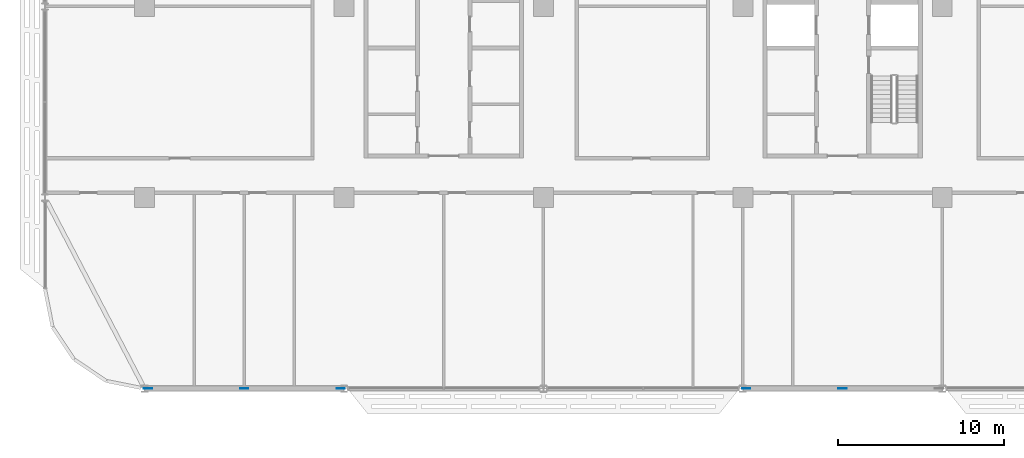
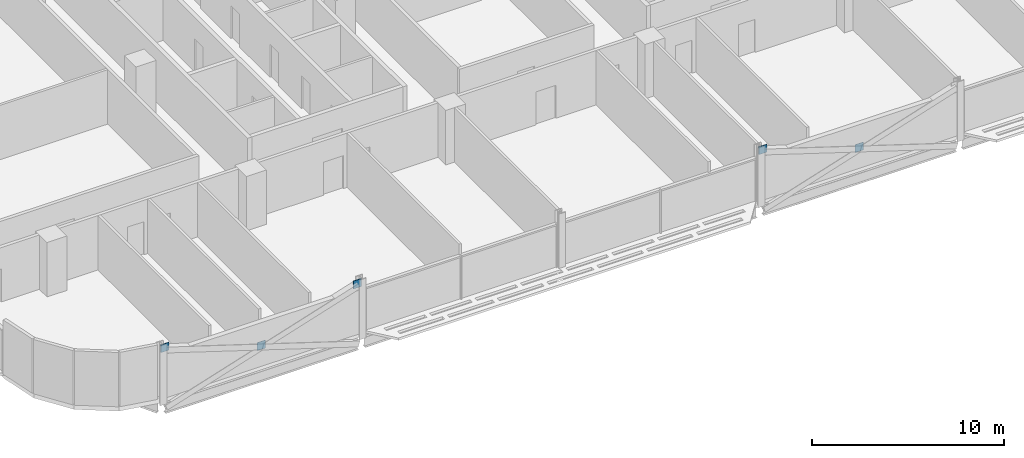
# One storey, part 17 of 27: 5 discrete accessories.
"""IFC4 building model written with IfcOpenShell, lengths in metres."""

from ifc_helpers import new_model, si_unit, direction, frame, origin, origin_2d, place, context, subcontext, project, spatial, rectangle, extrude, material, layer, layer_set, type_object, element, save


model = new_model("IFC4")

# Units and contexts
model_context = context("Model", 3, precision=1e-05, world=origin(), true_north=direction((0.0, 1.0)))
body_context = subcontext(model_context, "Body", "Model", "MODEL_VIEW")
ifc_project = project(units=[si_unit("LENGTHUNIT", "METRE"), si_unit("AREAUNIT", "SQUARE_METRE"), si_unit("VOLUMEUNIT", "CUBIC_METRE"), si_unit("PLANEANGLEUNIT", "RADIAN"), si_unit("MASSUNIT", "GRAM", prefix="KILO")], contexts=[model_context])

# Site, building, storey
site_placement = place(None, origin())
site = spatial("IfcSite", under=ifc_project, at=site_placement, CompositionType="ELEMENT")
building_placement = place(site_placement, origin())
building = spatial("IfcBuilding", under=site, at=building_placement, Name="Mahtab Terrace Research Tower", CompositionType="ELEMENT")
storey_placement = place(building_placement, frame((0.0, 0.0, 178.199951171875)))
storey = spatial("IfcBuildingStorey", under=building, at=storey_placement, Name="L42", CompositionType="ELEMENT", Elevation=178.199951171875)

# Discrete accessories
ifc_material = material(Name="Steel ASTM A992 Gr 50", Category="steel")
ifc_layer = layer(ifc_material, 0.030029296875)
ifc_layer_set = layer_set([ifc_layer], Name="Gusset plate 500x500x30")
discrete_accessory_type = type_object("IfcDiscreteAccessoryType", Name="Gusset plate 500x500x30", PredefinedType="USERDEFINED", material=ifc_layer_set)
for number, where, z_axis, x_axis, name in (
    (1, (-41.796875, -23.0, 2.870849609375), (0.0, 0.0, 1.0), (1.0, 0.0, 0.0), "Gusset plate"),
    (2, (-36.0, -23.0, 0.970947265625), (0.0, 0.0, 1.0), (1.0, 0.0, 0.0), "Gusset plate"),
    (3, (-30.203125, -23.0, 2.870849609375), (0.0, 0.0, 1.0), (1.0, 0.0, 0.0), "Gusset plate"),
    (4, (-5.796875, -23.0, 2.870849609375), (0.0, 0.0, 1.0), (1.0, 0.0, 0.0), "Gusset plate"),
    (5, (0.0, -23.0, 0.970947265625), (0.0, 0.0, 1.0), (1.0, 0.0, 0.0), "Gusset plate"),
):
    element("IfcDiscreteAccessory", number, at=place(storey_placement, frame(where, z_axis=z_axis, x_axis=x_axis)), inside=storey, type_object=discrete_accessory_type, Name=name, ObjectType="GUSSET PLATE", PredefinedType="USERDEFINED", context=body_context, shape_type="SweptSolid", body=[
        extrude(rectangle(XDim=0.5, YDim=0.030029296875, at=origin_2d()), origin(), (0.0, 0.0, 1.0), 0.5),
    ])

save(model, "model.ifc")
